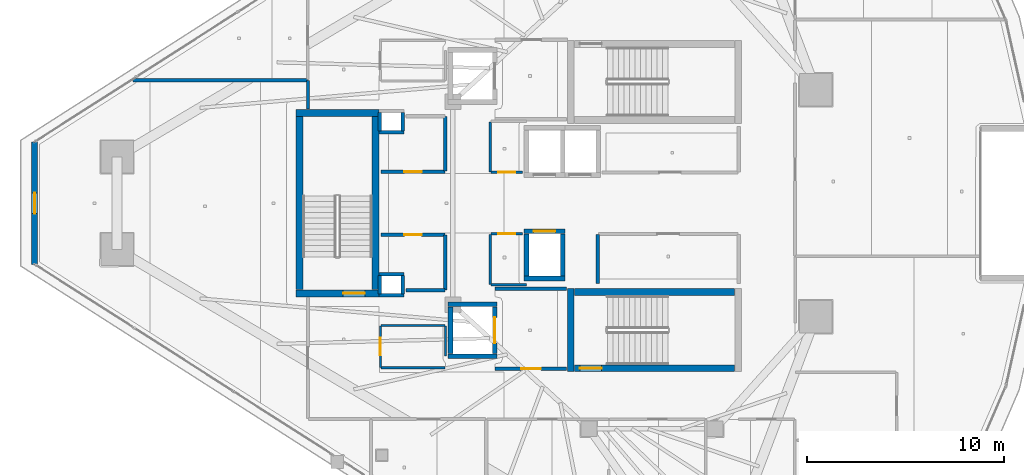
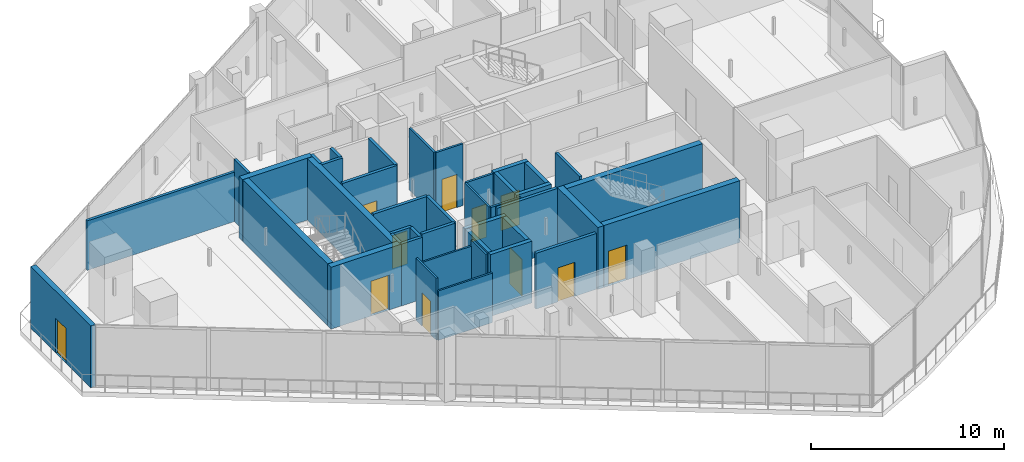
# One storey, part 23 of 33: 42 walls, 11 doors, 11 openings.
"""IFC4 building model written with IfcOpenShell, lengths in metres."""

from ifc_helpers import new_model, si_unit, direction, frame, frame_2d, origin, place, context, subcontext, project, spatial, rectangle, extrude, material, layer, layer_set, type_object, element, fill, save


model = new_model("IFC4")

# Units and contexts
model_context = context("Model", 3, precision=1e-05, world=origin(), true_north=direction((0.0, 1.0)))
body_context = subcontext(model_context, "Body", "Model", "MODEL_VIEW")
ifc_project = project(units=[si_unit("LENGTHUNIT", "METRE"), si_unit("AREAUNIT", "SQUARE_METRE"), si_unit("VOLUMEUNIT", "CUBIC_METRE"), si_unit("PLANEANGLEUNIT", "RADIAN"), si_unit("MASSUNIT", "GRAM", prefix="KILO")], contexts=[model_context])

# Site, building, storey
site_placement = place(None, origin())
site = spatial("IfcSite", under=ifc_project, at=site_placement, CompositionType="ELEMENT")
building_placement = place(site_placement, origin())
building = spatial("IfcBuilding", under=site, at=building_placement, Name="Qorvath Tower", CompositionType="ELEMENT")
storey_placement = place(building_placement, frame((0.0, 0.0, 280.800048828125)))
storey = spatial("IfcBuildingStorey", under=building, at=storey_placement, Name="L65", CompositionType="ELEMENT", Elevation=280.800048828125)

# Walls
ifc_material_1 = material(Name="Gypsum shaftliner on steel studs", Category="steel")
ifc_layer_1 = layer(ifc_material_1, 0.179931640625)
ifc_layer_set_1 = layer_set([ifc_layer_1], Name="FW-LOBBY")
wall_type_1 = type_object("IfcWallType", Name="FW-LOBBY", PredefinedType="PARTITIONING", material=ifc_layer_set_1)
wall_1_placement = place(storey_placement, frame((-32.989990234375, 3.594970703125, 0.0), z_axis=(0.0, 0.0, 1.0), x_axis=(-1.0, 0.0, 0.0)))
element("IfcWall", 1, at=wall_1_placement, inside=storey, type_object=wall_type_1, Name="MEP Riser Shaft Enclosure Wall N-L65-S", PredefinedType="PARTITIONING", context=body_context, shape_type="SweptSolid", body=[
    extrude(rectangle(XDim=1.27001953125, YDim=0.179931640625, at=frame_2d((0.635009765625, 0.0))), origin(), (0.0, 0.0, 1.0), 3.909912109375),
])
for number, where, z_axis, x_axis, name in (
    (2, (-34.205078125, 3.659912109375, 0.0), (0.0, 0.0, 1.0), (0.0, 1.0, 0.0), "MEP Riser Shaft Enclosure Wall N-L65-W"),
    (3, (-33.044921875, 4.610107421875, 0.0), (0.0, 0.0, 1.0), (0.0, -1.0, 0.0), "MEP Riser Shaft Enclosure Wall N-L65-E"),
):
    element("IfcWall", number, at=place(storey_placement, frame(where, z_axis=z_axis, x_axis=x_axis)), inside=storey, type_object=wall_type_1, Name=name, PredefinedType="PARTITIONING", context=body_context, shape_type="SweptSolid", body=[
        extrude(rectangle(XDim=0.9501953125, YDim=0.179931640625, at=frame_2d((0.47509765625, 0.0))), origin(), (0.0, 0.0, 1.0), 3.909912109375),
    ])
for number, where, z_axis, x_axis, name in (
    (4, (-32.989990234375, -4.675048828125, 0.0), (0.0, 0.0, 1.0), (-1.0, 0.0, 0.0), "MEP Riser Shaft Enclosure Wall S-L65-S"),
    (5, (-34.260009765625, -3.594970703125, 0.0), (0.0, 0.0, 1.0), (1.0, 0.0, 0.0), "MEP Riser Shaft Enclosure Wall S-L65-N"),
):
    element("IfcWall", number, at=place(storey_placement, frame(where, z_axis=z_axis, x_axis=x_axis)), inside=storey, type_object=wall_type_1, Name=name, PredefinedType="PARTITIONING", context=body_context, shape_type="SweptSolid", body=[
        extrude(rectangle(XDim=1.27001953125, YDim=0.179931640625, at=frame_2d((0.635009765625, 0.0))), origin(), (0.0, 0.0, 1.0), 3.909912109375),
    ])
for number, where, z_axis, x_axis, name in (
    (6, (-34.205078125, -4.610107421875, 0.0), (0.0, 0.0, 1.0), (0.0, 1.0, 0.0), "MEP Riser Shaft Enclosure Wall S-L65-W"),
    (7, (-33.044921875, -3.659912109375, 0.0), (0.0, 0.0, 1.0), (0.0, -1.0, 0.0), "MEP Riser Shaft Enclosure Wall S-L65-E"),
):
    element("IfcWall", number, at=place(storey_placement, frame(where, z_axis=z_axis, x_axis=x_axis)), inside=storey, type_object=wall_type_1, Name=name, PredefinedType="PARTITIONING", context=body_context, shape_type="SweptSolid", body=[
        extrude(rectangle(XDim=0.9501953125, YDim=0.179931640625, at=frame_2d((0.47509765625, 0.0))), origin(), (0.0, 0.0, 1.0), 3.909912109375),
    ])

# Wall, opening, door
wall_2_placement = place(storey_placement, frame((-28.35498046875, -8.39990234375, 0.0), z_axis=(0.0, 0.0, 1.0), x_axis=(1.0, 0.0, 0.0)))
wall_2 = element("IfcWall", 8, at=wall_2_placement, inside=storey, type_object=wall_type_1, Name="Interior Partition IW-T1-L65-003", PredefinedType="PARTITIONING", context=body_context, shape_type="SweptSolid", body=[
    extrude(rectangle(XDim=3.6220703125, YDim=0.179931640625, at=frame_2d((1.81103515625, 0.0))), origin(), (0.0, 0.0, 1.0), 3.52880859375),
])
opening_1_placement = place(wall_2_placement, frame((1.31103515625, 0.0, 0.0)))
opening_1 = element("IfcOpeningElement", 9, at=opening_1_placement, cuts=wall_2, Name="Opening D-T1-L65-22", PredefinedType="OPENING", context=body_context, shape_type="SweptSolid", body=[
    extrude(rectangle(XDim=1.0, YDim=2.14990234375, at=frame_2d((0.5, 1.074951171875))), frame((0.0, 0.10009765625, 0.0), z_axis=(0.0, -1.0, 0.0), x_axis=(1.0, 0.0, 0.0)), (0.0, 0.0, 1.0), 0.199951171875),
])
ifc_material_2 = material(Name="Painted galvanised hollow metal", Category="steel")
door_type_1 = type_object("IfcDoorType", Name="FD-60", OperationType="NOTDEFINED", PredefinedType="DOOR", material=ifc_material_2)
door_1_placement = place(opening_1_placement, origin())
door_1 = element("IfcDoor", 10, at=door_1_placement, inside=storey, type_object=door_type_1, Name="Lobby Fire Service Elevator South Door D-T1-L65-22", OperationType="SINGLE_SWING_LEFT", OverallHeight=2.14990234375, OverallWidth=1.0, PredefinedType="DOOR", context=body_context, shape_type="SweptSolid", body=[
    extrude(rectangle(XDim=1.0, YDim=2.14990234375, at=frame_2d((0.5, 1.074951171875))), frame((0.0, 0.02490234375, 0.0), z_axis=(0.0, -1.0, 0.0), x_axis=(1.0, 0.0, 0.0)), (0.0, 0.0, 1.0), 0.050048828125),
])
fill(opening_1, door_1)

# Wall
wall_3_placement = place(storey_placement, frame((-24.73291015625, -4.35009765625, 0.0), z_axis=(0.0, 0.0, 1.0), x_axis=(-1.0, 0.0, 0.0)))
element("IfcWall", 11, at=wall_3_placement, inside=storey, type_object=wall_type_1, Name="Interior Partition IW-T1-L65-004", PredefinedType="PARTITIONING", context=body_context, shape_type="SweptSolid", body=[
    extrude(rectangle(XDim=3.6220703125, YDim=0.179931640625, at=frame_2d((1.81103515625, 0.0))), origin(), (0.0, 0.0, 1.0), 3.909912109375),
])

# Wall, opening, door
wall_4_placement = place(storey_placement, frame((-34.15478515625, 1.60009765625, 0.0), z_axis=(0.0, 0.0, 1.0), x_axis=(1.0, 0.0, 0.0)))
wall_4 = element("IfcWall", 12, at=wall_4_placement, inside=storey, type_object=wall_type_1, Name="Interior Partition IW-T1-L65-024", PredefinedType="PARTITIONING", context=body_context, shape_type="SweptSolid", body=[
    extrude(rectangle(XDim=3.25, YDim=0.179931640625, at=frame_2d((1.625, 0.0))), origin(), (0.0, 0.0, 1.0), 3.909912109375),
])
opening_2_placement = place(wall_4_placement, frame((1.18505859375, 0.0, 0.0)))
opening_2 = element("IfcOpeningElement", 13, at=opening_2_placement, cuts=wall_4, Name="Opening D-T1-L65-07", PredefinedType="OPENING", context=body_context, shape_type="SweptSolid", body=[
    extrude(rectangle(XDim=0.8798828125, YDim=2.10009765625, at=frame_2d((0.43994140625, 1.050048828125))), frame((0.0, 0.10009765625, 0.0), z_axis=(0.0, -1.0, 0.0), x_axis=(1.0, 0.0, 0.0)), (0.0, 0.0, 1.0), 0.199951171875),
])
ifc_material_3 = material(Name="Painted galvanised hollow metal", Category="steel")
door_type_2 = type_object("IfcDoorType", Name="FD-60N", OperationType="NOTDEFINED", PredefinedType="DOOR", material=ifc_material_3)
door_2_placement = place(opening_2_placement, origin())
door_2 = element("IfcDoor", 14, at=door_2_placement, inside=storey, type_object=door_type_2, Name="Core telecom comms room L65 Door D-T1-L65-07", OperationType="SINGLE_SWING_RIGHT", OverallHeight=2.10009765625, OverallWidth=0.8798828125, PredefinedType="DOOR", context=body_context, shape_type="SweptSolid", body=[
    extrude(rectangle(XDim=0.8798828125, YDim=2.10009765625, at=frame_2d((0.43994140625, 1.050048828125))), frame((0.0, 0.02490234375, 0.0), z_axis=(0.0, -1.0, 0.0), x_axis=(1.0, 0.0, 0.0)), (0.0, 0.0, 1.0), 0.050048828125),
])
fill(opening_2, door_2)

# Walls
wall_5_placement = place(storey_placement, frame((-30.8798828125, 1.625, 0.0), z_axis=(0.0, 0.0, 1.0), x_axis=(0.0, 1.0, 0.0)))
element("IfcWall", 15, at=wall_5_placement, inside=storey, type_object=wall_type_1, Name="Interior Partition IW-T1-L65-025", PredefinedType="PARTITIONING", context=body_context, shape_type="SweptSolid", body=[
    extrude(rectangle(XDim=2.77001953125, YDim=0.179931640625, at=frame_2d((1.385009765625, 0.0))), origin(), (0.0, 0.0, 1.0), 3.909912109375),
])
wall_6_placement = place(storey_placement, frame((-32.8798828125, -4.419921875, 0.0), z_axis=(0.0, 0.0, 1.0), x_axis=(1.0, 0.0, 0.0)))
element("IfcWall", 16, at=wall_6_placement, inside=storey, type_object=wall_type_1, Name="Interior Partition IW-T1-L65-027", PredefinedType="PARTITIONING", context=body_context, shape_type="SweptSolid", body=[
    extrude(rectangle(XDim=1.97509765625, YDim=0.179931640625, at=frame_2d((0.987548828125, 0.0))), origin(), (0.0, 0.0, 1.0), 3.909912109375),
])
wall_7_placement = place(storey_placement, frame((-30.8798828125, -4.39501953125, 0.0), z_axis=(0.0, 0.0, 1.0), x_axis=(0.0, 1.0, 0.0)))
element("IfcWall", 17, at=wall_7_placement, inside=storey, type_object=wall_type_1, Name="Interior Partition IW-T1-L65-028", PredefinedType="PARTITIONING", context=body_context, shape_type="SweptSolid", body=[
    extrude(rectangle(XDim=2.77001953125, YDim=0.179931640625, at=frame_2d((1.385009765625, 0.0))), origin(), (0.0, 0.0, 1.0), 3.909912109375),
])

# Wall, opening, door
wall_8_placement = place(storey_placement, frame((-30.90478515625, -1.60009765625, 0.0), z_axis=(0.0, 0.0, 1.0), x_axis=(-1.0, 0.0, 0.0)))
wall_8 = element("IfcWall", 18, at=wall_8_placement, inside=storey, type_object=wall_type_1, Name="Interior Partition IW-T1-L65-029", PredefinedType="PARTITIONING", context=body_context, shape_type="SweptSolid", body=[
    extrude(rectangle(XDim=3.25, YDim=0.179931640625, at=frame_2d((1.625, 0.0))), origin(), (0.0, 0.0, 1.0), 3.909912109375),
])
opening_3_placement = place(wall_8_placement, frame((1.18505859375, 0.0, 0.0)))
opening_3 = element("IfcOpeningElement", 19, at=opening_3_placement, cuts=wall_8, Name="Opening D-T1-L65-08", PredefinedType="OPENING", context=body_context, shape_type="SweptSolid", body=[
    extrude(rectangle(XDim=0.8798828125, YDim=2.10009765625, at=frame_2d((0.43994140625, 1.050048828125))), frame((0.0, 0.10009765625, 0.0), z_axis=(0.0, -1.0, 0.0), x_axis=(1.0, 0.0, 0.0)), (0.0, 0.0, 1.0), 0.199951171875),
])
door_3_placement = place(opening_3_placement, origin())
door_3 = element("IfcDoor", 20, at=door_3_placement, inside=storey, type_object=door_type_2, Name="Core electrical closet L65 Door D-T1-L65-08", OperationType="SINGLE_SWING_LEFT", OverallHeight=2.10009765625, OverallWidth=0.8798828125, PredefinedType="DOOR", context=body_context, shape_type="SweptSolid", body=[
    extrude(rectangle(XDim=0.8798828125, YDim=2.10009765625, at=frame_2d((0.43994140625, 1.050048828125))), frame((0.0, 0.02490234375, 0.0), z_axis=(0.0, -1.0, 0.0), x_axis=(1.0, 0.0, 0.0)), (0.0, 0.0, 1.0), 0.050048828125),
])
fill(opening_3, door_3)

# Walls
ifc_material_4 = material(Name="Double acoustic gypsum board on steel studs", Category="steel")
ifc_layer_2 = layer(ifc_material_4, 0.159912109375)
ifc_layer_set_2 = layer_set([ifc_layer_2], Name="IW-ACOUSTIC-160")
wall_type_2 = type_object("IfcWallType", Name="IW-ACOUSTIC-160", PredefinedType="PARTITIONING", material=ifc_layer_set_2)
wall_9_placement = place(storey_placement, frame((-23.14990234375, -1.585205078125, 0.0), z_axis=(0.0, 0.0, 1.0), x_axis=(0.0, -1.0, 0.0)))
element("IfcWall", 21, at=wall_9_placement, inside=storey, type_object=wall_type_2, Name="Interior Partition IW-T1-L65-015", PredefinedType="PARTITIONING", context=body_context, shape_type="SweptSolid", body=[
    extrude(rectangle(XDim=2.489990234375, YDim=0.159912109375, at=frame_2d((1.2451171875, 0.0))), origin(), (0.0, 0.0, 1.0), 3.909912109375),
])
wall_10_placement = place(storey_placement, frame((-37.85791015625, 4.783203125, 0.0), z_axis=(0.0, 0.0, 1.0), x_axis=(0.0, 1.0, 0.0)))
element("IfcWall", 22, at=wall_10_placement, inside=storey, type_object=wall_type_2, Name="Interior Partition IW-T1-L65-067", PredefinedType="PARTITIONING", context=body_context, shape_type="SweptSolid", body=[
    extrude(rectangle(XDim=1.431396484375, YDim=0.159912109375, at=frame_2d((0.7158203125, 0.0))), origin(), (0.0, 0.0, 1.0), 3.909912109375),
])
wall_11_placement = place(storey_placement, frame((-37.8828125, 6.23974609375, 0.0), z_axis=(0.0, 0.0, 1.0), x_axis=(-1.0, 0.0, 0.0)))
element("IfcWall", 23, at=wall_11_placement, inside=storey, type_object=wall_type_2, Name="Interior Partition IW-T1-L65-068", PredefinedType="PARTITIONING", context=body_context, shape_type="SweptSolid", body=[
    extrude(rectangle(XDim=8.857177734375, YDim=0.159912109375, at=frame_2d((4.4287109375, 0.0))), origin(), (0.0, 0.0, 1.0), 3.1298828125),
])
ifc_material_5 = material(Name="Gypsum board on metal studs with mineral wool", Category="gypsum")
ifc_layer_3 = layer(ifc_material_5, 0.125)
ifc_layer_set_3 = layer_set([ifc_layer_3], Name="IW-PART-125")
wall_type_3 = type_object("IfcWallType", Name="IW-PART-125", PredefinedType="PARTITIONING", material=ifc_layer_set_3)
wall_12_placement = place(storey_placement, frame((-28.60009765625, 4.125, 0.0), z_axis=(0.0, 0.0, 1.0), x_axis=(0.0, -1.0, 0.0)))
element("IfcWall", 24, at=wall_12_placement, inside=storey, type_object=wall_type_3, Name="Interior Partition IW-T1-L65-018", PredefinedType="PARTITIONING", context=body_context, shape_type="SweptSolid", body=[
    extrude(rectangle(XDim=2.539794921875, YDim=0.125, at=frame_2d((1.27001953125, 0.0))), origin(), (0.0, 0.0, 1.0), 3.909912109375),
])

# Wall, opening, door
wall_13_placement = place(storey_placement, frame((-28.5751953125, 1.56005859375, 0.0), z_axis=(0.0, 0.0, 1.0), x_axis=(1.0, 0.0, 0.0)))
wall_13 = element("IfcWall", 25, at=wall_13_placement, inside=storey, type_object=wall_type_3, Name="Interior Partition IW-T1-L65-019", PredefinedType="PARTITIONING", context=body_context, shape_type="SweptSolid", body=[
    extrude(rectangle(XDim=1.609130859375, YDim=0.125, at=frame_2d((0.8046875, 0.0))), origin(), (0.0, 0.0, 1.0), 3.909912109375),
])
opening_4_placement = place(wall_13_placement, frame((0.364501953125, 0.0, 0.0)))
opening_4 = element("IfcOpeningElement", 26, at=opening_4_placement, cuts=wall_13, Name="Opening D-T1-L65-05", PredefinedType="OPENING", context=body_context, shape_type="SweptSolid", body=[
    extrude(rectangle(XDim=0.8798828125, YDim=2.10009765625, at=frame_2d((0.43994140625, 1.050048828125))), frame((0.0, 0.072509765625, 0.0), z_axis=(0.0, -1.0, 0.0), x_axis=(1.0, 0.0, 0.0)), (0.0, 0.0, 1.0), 0.14501953125),
])
ifc_material_6 = material(Name="Solid-core oak with acoustic drop seal", Category="wood")
door_type_3 = type_object("IfcDoorType", Name="D-02", OperationType="NOTDEFINED", PredefinedType="DOOR", material=ifc_material_6)
door_4_placement = place(opening_4_placement, origin())
door_4 = element("IfcDoor", 27, at=door_4_placement, inside=storey, type_object=door_type_3, Name="L65-RCWN Executive Archive Suite Door D-T1-L65-05", OperationType="SINGLE_SWING_RIGHT", OverallHeight=2.10009765625, OverallWidth=0.8798828125, PredefinedType="DOOR", context=body_context, shape_type="SweptSolid", body=[
    extrude(rectangle(XDim=0.8798828125, YDim=2.10009765625, at=frame_2d((0.43994140625, 1.050048828125))), frame((0.0, 0.02490234375, 0.0), z_axis=(0.0, -1.0, 0.0), x_axis=(1.0, 0.0, 0.0)), (0.0, 0.0, 1.0), 0.050048828125),
])
fill(opening_4, door_4)

# Walls
wall_14_placement = place(storey_placement, frame((-28.60009765625, -1.585205078125, 0.0), z_axis=(0.0, 0.0, 1.0), x_axis=(0.0, -1.0, 0.0)))
element("IfcWall", 28, at=wall_14_placement, inside=storey, type_object=wall_type_3, Name="Interior Partition IW-T1-L65-021", PredefinedType="PARTITIONING", context=body_context, shape_type="SweptSolid", body=[
    extrude(rectangle(XDim=2.539794921875, YDim=0.125, at=frame_2d((1.27001953125, 0.0))), origin(), (0.0, 0.0, 1.0), 3.909912109375),
])
wall_15_placement = place(storey_placement, frame((-28.5751953125, -4.14990234375, 0.0), z_axis=(0.0, 0.0, 1.0), x_axis=(1.0, 0.0, 0.0)))
element("IfcWall", 29, at=wall_15_placement, inside=storey, type_object=wall_type_3, Name="Interior Partition IW-T1-L65-022", PredefinedType="PARTITIONING", context=body_context, shape_type="SweptSolid", body=[
    extrude(rectangle(XDim=1.80029296875, YDim=0.125, at=frame_2d((0.900146484375, 0.0))), origin(), (0.0, 0.0, 1.0), 3.909912109375),
])

# Wall, opening, door
wall_16_placement = place(storey_placement, frame((-26.966064453125, -1.56005859375, 0.0), z_axis=(0.0, 0.0, 1.0), x_axis=(-1.0, 0.0, 0.0)))
wall_16 = element("IfcWall", 30, at=wall_16_placement, inside=storey, type_object=wall_type_3, Name="Interior Partition IW-T1-L65-023", PredefinedType="PARTITIONING", context=body_context, shape_type="SweptSolid", body=[
    extrude(rectangle(XDim=1.609130859375, YDim=0.125, at=frame_2d((0.8046875, 0.0))), origin(), (0.0, 0.0, 1.0), 3.909912109375),
])
opening_5_placement = place(wall_16_placement, frame((0.364501953125, 0.0, 0.0)))
opening_5 = element("IfcOpeningElement", 31, at=opening_5_placement, cuts=wall_16, Name="Opening D-T1-L65-06", PredefinedType="OPENING", context=body_context, shape_type="SweptSolid", body=[
    extrude(rectangle(XDim=0.8798828125, YDim=2.10009765625, at=frame_2d((0.43994140625, 1.050048828125))), frame((0.0, 0.072509765625, 0.0), z_axis=(0.0, -1.0, 0.0), x_axis=(1.0, 0.0, 0.0)), (0.0, 0.0, 1.0), 0.14501953125),
])
door_5_placement = place(opening_5_placement, origin())
door_5 = element("IfcDoor", 32, at=door_5_placement, inside=storey, type_object=door_type_3, Name="L65-RCWS Executive Archive Suite Door D-T1-L65-06", OperationType="SINGLE_SWING_LEFT", OverallHeight=2.10009765625, OverallWidth=0.8798828125, PredefinedType="DOOR", context=body_context, shape_type="SweptSolid", body=[
    extrude(rectangle(XDim=0.8798828125, YDim=2.10009765625, at=frame_2d((0.43994140625, 1.050048828125))), frame((0.0, 0.02490234375, 0.0), z_axis=(0.0, -1.0, 0.0), x_axis=(1.0, 0.0, 0.0)), (0.0, 0.0, 1.0), 0.050048828125),
])
fill(opening_5, door_5)

ifc_material_7 = material(Name="Moisture-resistant cement board on metal studs", Category="gypsum")
ifc_layer_4 = layer(ifc_material_7, 0.110107421875)
ifc_layer_set_4 = layer_set([ifc_layer_4], Name="IW-WC-110")
wall_type_4 = type_object("IfcWallType", Name="IW-WC-110", PredefinedType="PARTITIONING", material=ifc_layer_set_4)
wall_17_placement = place(storey_placement, frame((-34.179931640625, -6.22509765625, 0.0), z_axis=(0.0, 0.0, 1.0), x_axis=(0.0, -1.0, 0.0)))
wall_17 = element("IfcWall", 33, at=wall_17_placement, inside=storey, type_object=wall_type_4, Name="Interior Partition IW-T1-L65-009", PredefinedType="PARTITIONING", context=body_context, shape_type="SweptSolid", body=[
    extrude(rectangle(XDim=2.10009765625, YDim=0.110107421875, at=frame_2d((1.050048828125, 0.0))), origin(), (0.0, 0.0, 1.0), 3.909912109375),
])
opening_6_placement = place(wall_17_placement, frame((0.610107421875, 0.0, 0.0)))
opening_6 = element("IfcOpeningElement", 34, at=opening_6_placement, cuts=wall_17, Name="Opening D-T1-L65-02", PredefinedType="OPENING", context=body_context, shape_type="SweptSolid", body=[
    extrude(rectangle(XDim=0.8798828125, YDim=2.10009765625, at=frame_2d((0.43994140625, 1.050048828125))), frame((0.0, 0.06494140625, 0.0), z_axis=(0.0, -1.0, 0.0), x_axis=(1.0, 0.0, 0.0)), (0.0, 0.0, 1.0), 0.130126953125),
])
door_6_placement = place(opening_6_placement, origin())
door_6 = element("IfcDoor", 35, at=door_6_placement, inside=storey, type_object=door_type_3, Name="Accessible WC South L65 Door D-T1-L65-02", OperationType="SINGLE_SWING_LEFT", OverallHeight=2.10009765625, OverallWidth=0.8798828125, PredefinedType="DOOR", context=body_context, shape_type="SweptSolid", body=[
    extrude(rectangle(XDim=0.8798828125, YDim=2.10009765625, at=frame_2d((0.43994140625, 1.050048828125))), frame((0.0, 0.02490234375, 0.0), z_axis=(0.0, -1.0, 0.0), x_axis=(1.0, 0.0, 0.0)), (0.0, 0.0, 1.0), 0.050048828125),
])
fill(opening_6, door_6)

# Walls
wall_18_placement = place(storey_placement, frame((-34.15478515625, -8.35009765625, 0.0), z_axis=(0.0, 0.0, 1.0), x_axis=(1.0, 0.0, 0.0)))
element("IfcWall", 36, at=wall_18_placement, inside=storey, type_object=wall_type_4, Name="Interior Partition IW-T1-L65-010", PredefinedType="PARTITIONING", context=body_context, shape_type="SweptSolid", body=[
    extrude(rectangle(XDim=3.25, YDim=0.110107421875, at=frame_2d((1.625, 0.0))), origin(), (0.0, 0.0, 1.0), 3.1298828125),
])
wall_19_placement = place(storey_placement, frame((-30.8798828125, -7.742919921875, 0.0), z_axis=(0.0, 0.0, 1.0), x_axis=(0.0, 1.0, 0.0)))
element("IfcWall", 37, at=wall_19_placement, inside=storey, type_object=wall_type_4, Name="Interior Partition IW-T1-L65-011", PredefinedType="PARTITIONING", context=body_context, shape_type="SweptSolid", body=[
    extrude(rectangle(XDim=1.517822265625, YDim=0.110107421875, at=frame_2d((0.7587890625, 0.0))), origin(), (0.0, 0.0, 1.0), 3.909912109375),
])
wall_20_placement = place(storey_placement, frame((-30.90478515625, -6.199951171875, 0.0), z_axis=(0.0, 0.0, 1.0), x_axis=(-1.0, 0.0, 0.0)))
element("IfcWall", 38, at=wall_20_placement, inside=storey, type_object=wall_type_4, Name="Interior Partition IW-T1-L65-012", PredefinedType="PARTITIONING", context=body_context, shape_type="SweptSolid", body=[
    extrude(rectangle(XDim=3.25, YDim=0.110107421875, at=frame_2d((1.625, 0.0))), origin(), (0.0, 0.0, 1.0), 3.52880859375),
])
ifc_material_8 = material(Name="Concrete C60/75", Category="concrete")
ifc_layer_5 = layer(ifc_material_8, 0.260009765625)
ifc_layer_set_5 = layer_set([ifc_layer_5], Name="SW-SHAFT")
wall_type_5 = type_object("IfcWallType", Name="SW-SHAFT", PredefinedType="SHEAR", material=ifc_layer_set_5)
for number, where, z_axis, x_axis, name in (
    (39, (-28.260009765625, -7.77001953125, 0.0), (0.0, 0.0, 1.0), (-1.0, 0.0, 0.0), "Hoistway Wall FSAE-2 L65 S"),
    (40, (-30.739990234375, -5.1298828125, 0.0), (0.0, 0.0, 1.0), (1.0, 0.0, 0.0), "Hoistway Wall FSAE-2 L65 N"),
):
    element("IfcWall", number, at=place(storey_placement, frame(where, z_axis=z_axis, x_axis=x_axis)), inside=storey, type_object=wall_type_5, Name=name, PredefinedType="SHEAR", context=body_context, shape_type="SweptSolid", body=[
        extrude(rectangle(XDim=2.47998046875, YDim=0.239990234375, at=frame_2d((1.239990234375, 0.0))), origin(), (0.0, 0.0, 1.0), 3.909912109375),
    ])
wall_21_placement = place(storey_placement, frame((-30.6201171875, -7.637939453125, 0.0), z_axis=(0.0, 0.0, 1.0), x_axis=(0.0, 1.0, 0.0)))
element("IfcWall", 41, at=wall_21_placement, inside=storey, type_object=wall_type_5, Name="Hoistway Wall FSAE-2 L65 W", PredefinedType="SHEAR", context=body_context, shape_type="SweptSolid", body=[
    extrude(rectangle(XDim=2.3759765625, YDim=0.239990234375, at=frame_2d((1.18798828125, 0.0))), origin(), (0.0, 0.0, 1.0), 3.909912109375),
])

# Wall, opening, door
wall_22_placement = place(storey_placement, frame((-28.3798828125, -5.261962890625, 0.0), z_axis=(0.0, 0.0, 1.0), x_axis=(0.0, -1.0, 0.0)))
wall_22 = element("IfcWall", 42, at=wall_22_placement, inside=storey, type_object=wall_type_5, Name="Hoistway Wall FSAE-2 L65 E", PredefinedType="SHEAR", context=body_context, shape_type="SweptSolid", body=[
    extrude(rectangle(XDim=2.3759765625, YDim=0.239990234375, at=frame_2d((1.18798828125, 0.0))), origin(), (0.0, 0.0, 1.0), 3.909912109375),
])
opening_7_placement = place(wall_22_placement, frame((0.5380859375, 0.0, 0.0)))
opening_7 = element("IfcOpeningElement", 43, at=opening_7_placement, cuts=wall_22, Name="Opening LD-FSAE-2-L65", PredefinedType="OPENING", context=body_context, shape_type="SweptSolid", body=[
    extrude(rectangle(XDim=1.300048828125, YDim=2.300048828125, at=frame_2d((0.64990234375, 1.14990234375))), frame((0.0, 0.1298828125, 0.0), z_axis=(0.0, -1.0, 0.0), x_axis=(1.0, 0.0, 0.0)), (0.0, 0.0, 1.0), 0.260009765625),
])
ifc_material_9 = material(Name="Brushed stainless steel AISI 316", Category="steel")
door_type_4 = type_object("IfcDoorType", Name="LD-02", OperationType="NOTDEFINED", PredefinedType="DOOR", material=ifc_material_9)
door_7_placement = place(opening_7_placement, origin())
door_7 = element("IfcDoor", 44, at=door_7_placement, inside=storey, type_object=door_type_4, Name="Elevator Landing Sliding Door LD-FSAE-2-L65", OperationType="DOUBLE_DOOR_SLIDING", OverallHeight=2.300048828125, OverallWidth=1.300048828125, PredefinedType="DOOR", context=body_context, shape_type="SweptSolid", body=[
    extrude(rectangle(XDim=1.300048828125, YDim=2.300048828125, at=frame_2d((0.64990234375, 1.14990234375))), frame((0.0, 0.02490234375, 0.0), z_axis=(0.0, -1.0, 0.0), x_axis=(1.0, 0.0, 0.0)), (0.0, 0.0, 1.0), 0.050048828125),
])
fill(opening_7, door_7)

# Wall
wall_23_placement = place(storey_placement, frame((-24.81005859375, -3.820068359375, 0.0), z_axis=(0.0, 0.0, 1.0), x_axis=(-1.0, 0.0, 0.0)))
element("IfcWall", 45, at=wall_23_placement, inside=storey, type_object=wall_type_5, Name="Hoistway Wall PH-3 L65 S", PredefinedType="SHEAR", context=body_context, shape_type="SweptSolid", body=[
    extrude(rectangle(XDim=2.079833984375, YDim=0.239990234375, at=frame_2d((1.0400390625, 0.0))), origin(), (0.0, 0.0, 1.0), 3.909912109375),
])

# Wall, opening, door
wall_24_placement = place(storey_placement, frame((-26.889892578125, -1.429931640625, 0.0), z_axis=(0.0, 0.0, 1.0), x_axis=(1.0, 0.0, 0.0)))
wall_24 = element("IfcWall", 46, at=wall_24_placement, inside=storey, type_object=wall_type_5, Name="Hoistway Wall PH-3 L65 N", PredefinedType="SHEAR", context=body_context, shape_type="SweptSolid", body=[
    extrude(rectangle(XDim=2.079833984375, YDim=0.239990234375, at=frame_2d((1.0400390625, 0.0))), origin(), (0.0, 0.0, 1.0), 3.909912109375),
])
opening_8_placement = place(wall_24_placement, frame((0.48974609375, 0.0, 0.0)))
opening_8 = element("IfcOpeningElement", 47, at=opening_8_placement, cuts=wall_24, Name="Opening LD-PH-3-L65", PredefinedType="OPENING", context=body_context, shape_type="SweptSolid", body=[
    extrude(rectangle(XDim=1.10009765625, YDim=2.199951171875, at=frame_2d((0.550048828125, 1.10009765625))), frame((0.0, 0.1298828125, 0.0), z_axis=(0.0, -1.0, 0.0), x_axis=(1.0, 0.0, 0.0)), (0.0, 0.0, 1.0), 0.260009765625),
])
ifc_material_10 = material(Name="Brushed stainless steel AISI 316", Category="steel")
door_type_5 = type_object("IfcDoorType", Name="LD-01", OperationType="NOTDEFINED", PredefinedType="DOOR", material=ifc_material_10)
door_8_placement = place(opening_8_placement, origin())
door_8 = element("IfcDoor", 48, at=door_8_placement, inside=storey, type_object=door_type_5, Name="Elevator Landing Sliding Door LD-PH-3-L65", OperationType="DOUBLE_DOOR_SLIDING", OverallHeight=2.199951171875, OverallWidth=1.10009765625, PredefinedType="DOOR", context=body_context, shape_type="SweptSolid", body=[
    extrude(rectangle(XDim=1.10009765625, YDim=2.199951171875, at=frame_2d((0.550048828125, 1.10009765625))), frame((0.0, 0.02490234375, 0.0), z_axis=(0.0, -1.0, 0.0), x_axis=(1.0, 0.0, 0.0)), (0.0, 0.0, 1.0), 0.050048828125),
])
fill(opening_8, door_8)

# Walls
for number, where, z_axis, x_axis, name in (
    (49, (-26.77001953125, -3.68798828125, 0.0), (0.0, 0.0, 1.0), (0.0, 1.0, 0.0), "Hoistway Wall PH-3 L65 W"),
    (50, (-24.929931640625, -1.56201171875, 0.0), (0.0, 0.0, 1.0), (0.0, -1.0, 0.0), "Hoistway Wall PH-3 L65 E"),
):
    element("IfcWall", number, at=place(storey_placement, frame(where, z_axis=z_axis, x_axis=x_axis)), inside=storey, type_object=wall_type_5, Name=name, PredefinedType="SHEAR", context=body_context, shape_type="SweptSolid", body=[
        extrude(rectangle(XDim=2.1259765625, YDim=0.239990234375, at=frame_2d((1.06298828125, 0.0))), origin(), (0.0, 0.0, 1.0), 3.909912109375),
    ])
ifc_material_11 = material(Name="Concrete C60/75", Category="concrete")
ifc_layer_6 = layer(ifc_material_11, 0.35009765625)
ifc_layer_set_6 = layer_set([ifc_layer_6], Name="SW-STAIR")
wall_type_6 = type_object("IfcWallType", Name="SW-STAIR", PredefinedType="SHEAR", material=ifc_layer_set_6)
wall_25_placement = place(storey_placement, frame((-24.52490234375, -4.340087890625, 0.0), z_axis=(0.0, 0.0, 1.0), x_axis=(0.0, -1.0, 0.0)))
element("IfcWall", 51, at=wall_25_placement, inside=storey, type_object=wall_type_6, Name="Stair TS2 Shear Wall L65 NEAR", PredefinedType="SHEAR", context=body_context, shape_type="SweptSolid", body=[
    extrude(rectangle(XDim=4.2099609375, YDim=0.35009765625, at=frame_2d((2.10498046875, 0.0))), origin(), (0.0, 0.0, 1.0), 3.909912109375),
])

# Wall, opening, door
wall_26_placement = place(storey_placement, frame((-24.3349609375, -8.375, 0.0), z_axis=(0.0, 0.0, 1.0), x_axis=(1.0, 0.0, 0.0)))
wall_26 = element("IfcWall", 52, at=wall_26_placement, inside=storey, type_object=wall_type_6, Name="Stair TS2 Shear Wall L65 LEFT", PredefinedType="SHEAR", context=body_context, shape_type="SweptSolid", body=[
    extrude(rectangle(XDim=8.119873046875, YDim=0.35009765625, at=frame_2d((4.06005859375, 0.0))), origin(), (0.0, 0.0, 1.0), 3.909912109375),
])
opening_9_placement = place(wall_26_placement, frame((0.280029296875, 0.0, 0.0)))
opening_9 = element("IfcOpeningElement", 53, at=opening_9_placement, cuts=wall_26, Name="Opening D-TS2-L65", PredefinedType="OPENING", context=body_context, shape_type="SweptSolid", body=[
    extrude(rectangle(XDim=1.10009765625, YDim=2.199951171875, at=frame_2d((0.550048828125, 1.10009765625))), frame((0.0, 0.18505859375, 0.0), z_axis=(0.0, -1.0, 0.0), x_axis=(1.0, 0.0, 0.0)), (0.0, 0.0, 1.0), 0.3701171875),
])
ifc_material_12 = material(Name="Painted galvanised hollow metal", Category="steel")
door_type_6 = type_object("IfcDoorType", Name="FD-90", OperationType="NOTDEFINED", PredefinedType="DOOR", material=ifc_material_12)
door_9_placement = place(opening_9_placement, origin())
door_9 = element("IfcDoor", 54, at=door_9_placement, inside=storey, type_object=door_type_6, Name="Stair TS2 Fire Door L65", OperationType="SINGLE_SWING_RIGHT", OverallHeight=2.199951171875, OverallWidth=1.10009765625, PredefinedType="DOOR", context=body_context, shape_type="SweptSolid", body=[
    extrude(rectangle(XDim=1.10009765625, YDim=2.199951171875, at=frame_2d((0.550048828125, 1.10009765625))), frame((0.0, 0.02490234375, 0.0), z_axis=(0.0, -1.0, 0.0), x_axis=(1.0, 0.0, 0.0)), (0.0, 0.0, 1.0), 0.050048828125),
])
fill(opening_9, door_9)

# Wall
wall_27_placement = place(storey_placement, frame((-16.215087890625, -4.514892578125, 0.0), z_axis=(0.0, 0.0, 1.0), x_axis=(-1.0, 0.0, 0.0)))
element("IfcWall", 55, at=wall_27_placement, inside=storey, type_object=wall_type_6, Name="Stair TS2 Shear Wall L65 RIGHT", PredefinedType="SHEAR", context=body_context, shape_type="SweptSolid", body=[
    extrude(rectangle(XDim=8.119873046875, YDim=0.35009765625, at=frame_2d((4.06005859375, 0.0))), origin(), (0.0, 0.0, 1.0), 3.909912109375),
])

# Wall, opening, door
wall_28_placement = place(storey_placement, frame((-38.4599609375, -4.574951171875, 0.0), z_axis=(0.0, 0.0, 1.0), x_axis=(1.0, 0.0, 0.0)))
wall_28 = element("IfcWall", 56, at=wall_28_placement, inside=storey, type_object=wall_type_6, Name="Stair TS3 Shear Wall L65 NEAR", PredefinedType="SHEAR", context=body_context, shape_type="SweptSolid", body=[
    extrude(rectangle(XDim=4.2099609375, YDim=0.35009765625, at=frame_2d((2.10498046875, 0.0))), origin(), (0.0, 0.0, 1.0), 3.909912109375),
])
opening_10_placement = place(wall_28_placement, frame((2.389892578125, 0.0, 0.0)))
opening_10 = element("IfcOpeningElement", 57, at=opening_10_placement, cuts=wall_28, Name="Opening D-TS3-L65", PredefinedType="OPENING", context=body_context, shape_type="SweptSolid", body=[
    extrude(rectangle(XDim=1.10009765625, YDim=2.199951171875, at=frame_2d((0.550048828125, 1.10009765625))), frame((0.0, 0.18505859375, 0.0), z_axis=(0.0, -1.0, 0.0), x_axis=(1.0, 0.0, 0.0)), (0.0, 0.0, 1.0), 0.3701171875),
])
door_10_placement = place(opening_10_placement, origin())
door_10 = element("IfcDoor", 58, at=door_10_placement, inside=storey, type_object=door_type_6, Name="Stair TS3 Fire Door L65", OperationType="SINGLE_SWING_RIGHT", OverallHeight=2.199951171875, OverallWidth=1.10009765625, PredefinedType="DOOR", context=body_context, shape_type="SweptSolid", body=[
    extrude(rectangle(XDim=1.10009765625, YDim=2.199951171875, at=frame_2d((0.550048828125, 1.10009765625))), frame((0.0, 0.02490234375, 0.0), z_axis=(0.0, -1.0, 0.0), x_axis=(1.0, 0.0, 0.0)), (0.0, 0.0, 1.0), 0.050048828125),
])
fill(opening_10, door_10)

# Walls
wall_29_placement = place(storey_placement, frame((-34.25, 4.574951171875, 0.0), z_axis=(0.0, 0.0, 1.0), x_axis=(-1.0, 0.0, 0.0)))
element("IfcWall", 59, at=wall_29_placement, inside=storey, type_object=wall_type_6, Name="Stair TS3 Shear Wall L65 FAR", PredefinedType="SHEAR", context=body_context, shape_type="SweptSolid", body=[
    extrude(rectangle(XDim=4.2099609375, YDim=0.35009765625, at=frame_2d((2.10498046875, 0.0))), origin(), (0.0, 0.0, 1.0), 3.909912109375),
])
for number, where, z_axis, x_axis, name in (
    (60, (-34.425048828125, -4.385009765625, 0.0), (0.0, 0.0, 1.0), (0.0, 1.0, 0.0), "Stair TS3 Shear Wall L65 LEFT"),
    (61, (-38.284912109375, 4.385009765625, 0.0), (0.0, 0.0, 1.0), (0.0, -1.0, 0.0), "Stair TS3 Shear Wall L65 RIGHT"),
):
    element("IfcWall", number, at=place(storey_placement, frame(where, z_axis=z_axis, x_axis=x_axis)), inside=storey, type_object=wall_type_6, Name=name, PredefinedType="SHEAR", context=body_context, shape_type="SweptSolid", body=[
        extrude(rectangle(XDim=8.77001953125, YDim=0.35009765625, at=frame_2d((4.385009765625, 0.0))), origin(), (0.0, 0.0, 1.0), 3.909912109375),
    ])

# Wall, opening, door
ifc_material_13 = material(Name="Precast concrete C45/55", Category="concrete")
ifc_layer_7 = layer(ifc_material_13, 0.300048828125)
ifc_layer_set_7 = layer_set([ifc_layer_7], Name="WL-EW-LOG-300")
wall_type_7 = type_object("IfcWallType", Name="WL-EW-LOG-300", PredefinedType="SOLIDWALL", material=ifc_layer_set_7)
wall_30_placement = place(storey_placement, frame((-51.72509765625, -3.104736328125, 0.0), z_axis=(0.0, 0.0, 1.0), x_axis=(0.0, 1.0, 0.0)))
wall_30 = element("IfcWall", 62, at=wall_30_placement, inside=storey, type_object=wall_type_7, Name="Tower Precast Loggia Wall L65-1.1", PredefinedType="SOLIDWALL", context=body_context, shape_type="SweptSolid", body=[
    extrude(rectangle(XDim=6.20947265625, YDim=0.300048828125, at=frame_2d((3.104736328125, 0.0))), origin(), (0.0, 0.0, 1.0), 3.909912109375),
])
opening_11_placement = place(wall_30_placement, frame((2.57958984375, 0.0, 0.0)))
opening_11 = element("IfcOpeningElement", 63, at=opening_11_placement, cuts=wall_30, Name="Opening ED-L65-01", PredefinedType="OPENING", context=body_context, shape_type="SweptSolid", body=[
    extrude(rectangle(XDim=1.050048828125, YDim=2.199951171875, at=frame_2d((0.52490234375, 1.10009765625))), frame((0.0, 0.16015625, 0.0), z_axis=(0.0, -1.0, 0.0), x_axis=(1.0, 0.0, 0.0)), (0.0, 0.0, 1.0), 0.320068359375),
])
ifc_material_14 = material(Name="Thermally broken aluminium glazed door", Category="aluminium")
door_type_7 = type_object("IfcDoorType", Name="ED-LOG", OperationType="NOTDEFINED", PredefinedType="DOOR", material=ifc_material_14)
door_11_placement = place(opening_11_placement, origin())
door_11 = element("IfcDoor", 64, at=door_11_placement, inside=storey, type_object=door_type_7, Name="L65 Recessed Loggia Access Door 1", OperationType="SINGLE_SWING_LEFT", OverallHeight=2.199951171875, OverallWidth=1.050048828125, PredefinedType="DOOR", context=body_context, shape_type="SweptSolid", body=[
    extrude(rectangle(XDim=1.050048828125, YDim=2.199951171875, at=frame_2d((0.52490234375, 1.10009765625))), frame((0.0, 0.02490234375, 0.0), z_axis=(0.0, -1.0, 0.0), x_axis=(1.0, 0.0, 0.0)), (0.0, 0.0, 1.0), 0.050048828125),
])
fill(opening_11, door_11)

save(model, "model.ifc")
